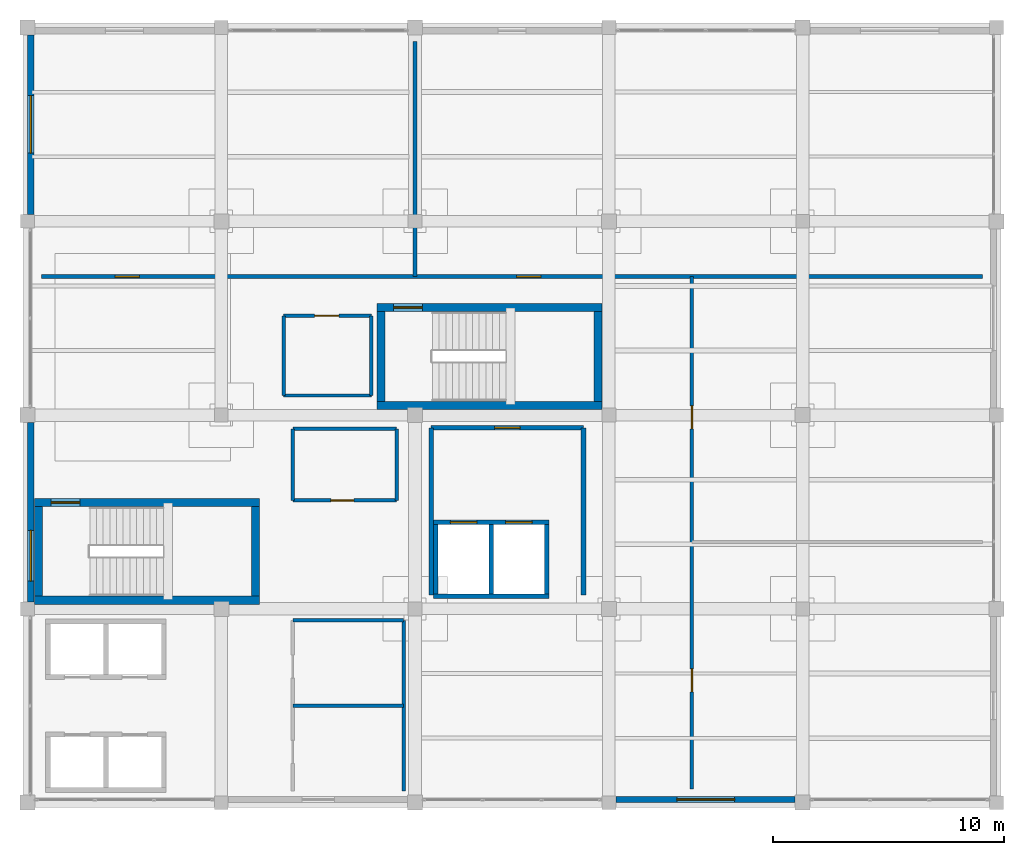
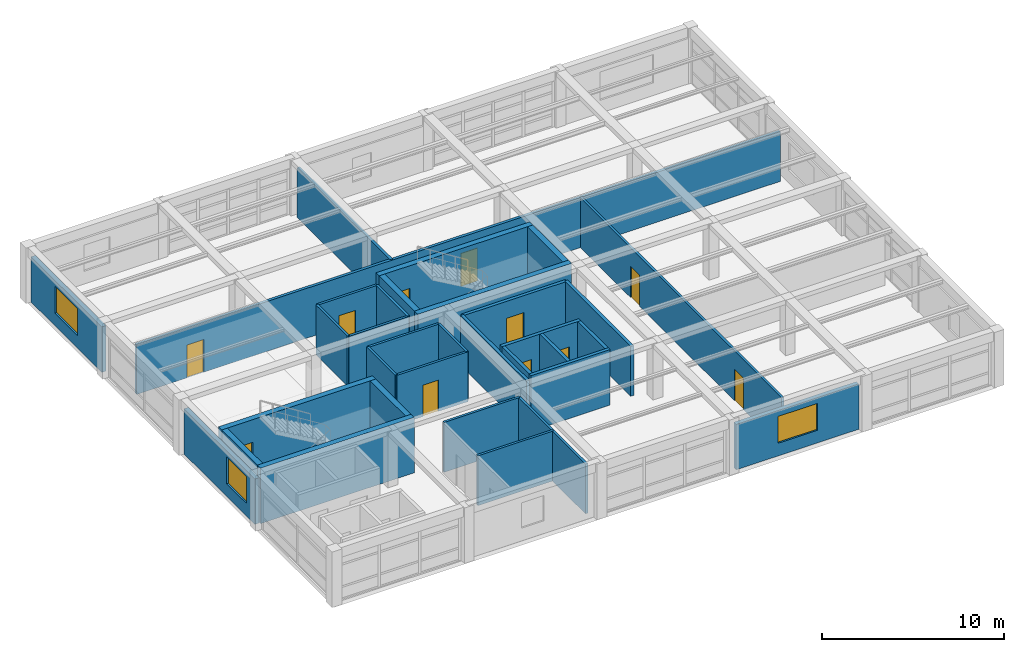
# One storey, part 23 of 25: 33 walls, 11 doors, 3 windows, 14 openings.
"""IFC4 building model written with IfcOpenShell, lengths in metres."""

from ifc_helpers import new_model, si_unit, direction, frame, frame_2d, origin, place, context, subcontext, project, spatial, rectangle, extrude, material, layer, layer_set, type_object, element, fill, save


model = new_model("IFC4")

# Units and contexts
model_context = context("Model", 3, precision=1e-05, world=origin(), true_north=direction((0.0, 1.0)))
body_context = subcontext(model_context, "Body", "Model", "MODEL_VIEW")
ifc_project = project(units=[si_unit("LENGTHUNIT", "METRE"), si_unit("AREAUNIT", "SQUARE_METRE"), si_unit("VOLUMEUNIT", "CUBIC_METRE"), si_unit("PLANEANGLEUNIT", "RADIAN"), si_unit("MASSUNIT", "GRAM", prefix="KILO")], contexts=[model_context])

# Site, building, storey
site_placement = place(None, origin())
site = spatial("IfcSite", under=ifc_project, at=site_placement, CompositionType="ELEMENT")
building_placement = place(site_placement, origin())
building = spatial("IfcBuilding", under=site, at=building_placement, Name="Almacenes y Pasaje Nevantli", CompositionType="ELEMENT")
storey_placement = place(building_placement, frame((0.0, 0.0, 50.699951171875)))
storey = spatial("IfcBuildingStorey", under=building, at=storey_placement, Name="L12", CompositionType="ELEMENT", Elevation=50.699951171875)

# Wall, openings, doors
ifc_material_1 = material(Name="Insulated Double-Gypsum Fire Partition", Category="gypsum")
ifc_layer_1 = layer(ifc_material_1, 0.179931640625)
ifc_layer_set_1 = layer_set([ifc_layer_1], Name="Insulated Double-Gypsum Fire Partition")
wall_type_1 = type_object("IfcWallType", Name="WL-COMP-180", PredefinedType="PARTITIONING", material=ifc_layer_set_1)
wall_1_placement = place(storey_placement, frame((118.199951171875, 90.0, 0.0), z_axis=(0.0, 0.0, 1.0), x_axis=(1.0, 0.0, 0.0)))
wall_1 = element("IfcWall", 1, at=wall_1_placement, inside=storey, type_object=wall_type_1, Name="L12 Interior Partition Wall IW-180 #217", PredefinedType="PARTITIONING", context=body_context, shape_type="SweptSolid", body=[
    extrude(rectangle(XDim=40.800048828125, YDim=0.179931640625, at=frame_2d((20.39990234375, 0.0))), origin(), (0.0, 0.0, 1.0), 3.340087890625),
])
opening_1_placement = place(wall_1_placement, frame((3.199951171875, 0.0, 0.0)))
opening_1 = element("IfcOpeningElement", 2, at=opening_1_placement, cuts=wall_1, Name="Opening ID-L12-116", PredefinedType="OPENING", context=body_context, shape_type="SweptSolid", body=[
    extrude(rectangle(XDim=1.050048828125, YDim=2.199951171875, at=frame_2d((0.52490234375, 1.10009765625))), frame((0.0, 0.099853515625, 0.0), z_axis=(0.0, -1.0, 0.0), x_axis=(1.0, 0.0, 0.0)), (0.0, 0.0, 1.0), 0.199951171875),
])
opening_2_placement = place(wall_1_placement, frame((20.60009765625, 0.0, 0.0)))
opening_2 = element("IfcOpeningElement", 3, at=opening_2_placement, cuts=wall_1, Name="Opening ID-L12-117", PredefinedType="OPENING", context=body_context, shape_type="SweptSolid", body=[
    extrude(rectangle(XDim=1.050048828125, YDim=2.199951171875, at=frame_2d((0.52490234375, 1.10009765625))), frame((0.0, 0.099853515625, 0.0), z_axis=(0.0, -1.0, 0.0), x_axis=(1.0, 0.0, 0.0)), (0.0, 0.0, 1.0), 0.199951171875),
])
ifc_material_2 = material(Name="Fire-Rated Mineral-Core Steel", Category="steel")
door_type_1 = type_object("IfcDoorType", Name="DR-FD60-1050", OperationType="SINGLE_SWING_LEFT", PredefinedType="DOOR", material=ifc_material_2)
door_1_placement = place(opening_1_placement, origin())
door_1 = element("IfcDoor", 4, at=door_1_placement, inside=storey, type_object=door_type_1, Name="L12 L12 Legal Chambers Door", OperationType="SINGLE_SWING_LEFT", OverallHeight=2.199951171875, OverallWidth=1.050048828125, PredefinedType="DOOR", context=body_context, shape_type="SweptSolid", body=[
    extrude(rectangle(XDim=1.050048828125, YDim=2.199951171875, at=frame_2d((0.52490234375, 1.10009765625))), frame((0.0, 0.02490234375, 0.0), z_axis=(0.0, -1.0, 0.0), x_axis=(1.0, 0.0, 0.0)), (0.0, 0.0, 1.0), 0.050048828125),
])
fill(opening_1, door_1)
ifc_material_3 = material(Name="Fire-Rated Mineral-Core Steel", Category="steel")
door_type_2 = type_object("IfcDoorType", Name="DR-FD60-1050R", OperationType="SINGLE_SWING_RIGHT", PredefinedType="DOOR", material=ifc_material_3)
door_2_placement = place(opening_2_placement, origin())
door_2 = element("IfcDoor", 5, at=door_2_placement, inside=storey, type_object=door_type_2, Name="L12 L12 Finance Suite Door", OperationType="SINGLE_SWING_RIGHT", OverallHeight=2.199951171875, OverallWidth=1.050048828125, PredefinedType="DOOR", context=body_context, shape_type="SweptSolid", body=[
    extrude(rectangle(XDim=1.050048828125, YDim=2.199951171875, at=frame_2d((0.52490234375, 1.10009765625))), frame((0.0, 0.02490234375, 0.0), z_axis=(0.0, -1.0, 0.0), x_axis=(1.0, 0.0, 0.0)), (0.0, 0.0, 1.0), 0.050048828125),
])
fill(opening_2, door_2)

# Wall
wall_2_placement = place(storey_placement, frame((134.39990234375, 90.0, 0.0), z_axis=(0.0, 0.0, 1.0), x_axis=(0.0, 1.0, 0.0)))
element("IfcWall", 6, at=wall_2_placement, inside=storey, type_object=wall_type_1, Name="L12 Interior Partition Wall IW-180 #218", PredefinedType="PARTITIONING", context=body_context, shape_type="SweptSolid", body=[
    extrude(rectangle(XDim=10.199951171875, YDim=0.179931640625, at=frame_2d((5.10009765625, 0.0))), origin(), (0.0, 0.0, 1.0), 3.340087890625),
])

# Wall, opening, door
ifc_material_4 = material(Name="Fire-Rated Concrete Blockwork", Category="masonry")
ifc_layer_2 = layer(ifc_material_4, 0.199951171875)
ifc_layer_set_2 = layer_set([ifc_layer_2], Name="Fire-Rated Concrete Blockwork")
wall_type_2 = type_object("IfcWallType", Name="WL-COMP-200", PredefinedType="PARTITIONING", material=ifc_layer_set_2)
wall_3_placement = place(storey_placement, frame((135.10009765625, 83.449951171875, 0.0), z_axis=(0.0, 0.0, 1.0), x_axis=(1.0, 0.0, 0.0)))
wall_3 = element("IfcWall", 7, at=wall_3_placement, inside=storey, type_object=wall_type_2, Name="L12 Interior Partition Wall IW-200 #202", PredefinedType="PARTITIONING", context=body_context, shape_type="SweptSolid", body=[
    extrude(rectangle(XDim=6.599853515625, YDim=0.199951171875, at=frame_2d((3.2998046875, 0.0))), origin(), (0.0, 0.0, 1.0), 3.340087890625),
])
opening_3_placement = place(wall_3_placement, frame((2.75, 0.0, 0.0)))
opening_3 = element("IfcOpeningElement", 8, at=opening_3_placement, cuts=wall_3, Name="Opening ID-L12-111", PredefinedType="OPENING", context=body_context, shape_type="SweptSolid", body=[
    extrude(rectangle(XDim=1.10009765625, YDim=2.199951171875, at=frame_2d((0.550048828125, 1.10009765625))), frame((0.0, 0.10986328125, 0.0), z_axis=(0.0, -1.0, 0.0), x_axis=(1.0, 0.0, 0.0)), (0.0, 0.0, 1.0), 0.219970703125),
])
ifc_material_5 = material(Name="Galvanized Fire-Rated Steel", Category="steel")
door_type_3 = type_object("IfcDoorType", Name="DR-FD90-1100R", OperationType="SINGLE_SWING_RIGHT", PredefinedType="DOOR", material=ifc_material_5)
door_3_placement = place(opening_3_placement, origin())
door_3 = element("IfcDoor", 9, at=door_3_placement, inside=storey, type_object=door_type_3, Name="L12 Firefighting Lobby Door", OperationType="SINGLE_SWING_RIGHT", OverallHeight=2.199951171875, OverallWidth=1.10009765625, PredefinedType="DOOR", context=body_context, shape_type="SweptSolid", body=[
    extrude(rectangle(XDim=1.10009765625, YDim=2.199951171875, at=frame_2d((0.550048828125, 1.10009765625))), frame((0.0, 0.02490234375, 0.0), z_axis=(0.0, -1.0, 0.0), x_axis=(1.0, 0.0, 0.0)), (0.0, 0.0, 1.0), 0.050048828125),
])
fill(opening_3, door_3)

# Walls
for number, where, z_axis, x_axis, name in (
    (10, (135.10009765625, 76.199951171875, 0.0), (0.0, 0.0, 1.0), (0.0, 1.0, 0.0), "L12 Interior Partition Wall IW-200 #203"),
    (11, (141.699951171875, 76.199951171875, 0.0), (0.0, 0.0, 1.0), (0.0, 1.0, 0.0), "L12 Interior Partition Wall IW-200 #204"),
):
    element("IfcWall", number, at=place(storey_placement, frame(where, z_axis=z_axis, x_axis=x_axis)), inside=storey, type_object=wall_type_2, Name=name, PredefinedType="PARTITIONING", context=body_context, shape_type="SweptSolid", body=[
        extrude(rectangle(XDim=7.25, YDim=0.199951171875, at=frame_2d((3.625, 0.0))), origin(), (0.0, 0.0, 1.0), 3.340087890625),
    ])
ifc_material_6 = material(Name="Concrete C45/55", Category="concrete")
ifc_layer_3 = layer(ifc_material_6, 0.35009765625)
ifc_layer_set_3 = layer_set([ifc_layer_3], Name="Concrete C45/55")
wall_type_3 = type_object("IfcWallType", Name="WL-CORE-350", PredefinedType="SHEAR", material=ifc_layer_set_3)
wall_4_placement = place(storey_placement, frame((117.89990234375, 75.97509765625, 0.0), z_axis=(0.0, 0.0, 1.0), x_axis=(1.0, 0.0, 0.0)))
element("IfcWall", 12, at=wall_4_placement, inside=storey, type_object=wall_type_3, Name="L12 Exit Stair ST-01 South Core Shear Wall", PredefinedType="SHEAR", context=body_context, shape_type="SweptSolid", body=[
    extrude(rectangle(XDim=9.75, YDim=0.35009765625, at=frame_2d((4.875, 0.0))), origin(), (0.0, 0.0, 1.0), 3.719970703125),
])

# Wall, opening, door
wall_5_placement = place(storey_placement, frame((117.89990234375, 80.215087890625, 0.0), z_axis=(0.0, 0.0, 1.0), x_axis=(1.0, 0.0, 0.0)))
wall_5 = element("IfcWall", 13, at=wall_5_placement, inside=storey, type_object=wall_type_3, Name="L12 Exit Stair ST-01 North Core Shear Wall", PredefinedType="SHEAR", context=body_context, shape_type="SweptSolid", body=[
    extrude(rectangle(XDim=9.75, YDim=0.35009765625, at=frame_2d((4.875, 0.0))), origin(), (0.0, 0.0, 1.0), 3.719970703125),
])
opening_4_placement = place(wall_5_placement, frame((0.719970703125, 0.0, 0.0)))
opening_4 = element("IfcOpeningElement", 14, at=opening_4_placement, cuts=wall_5, Name="Opening SD-01-L12", PredefinedType="OPENING", context=body_context, shape_type="SweptSolid", body=[
    extrude(rectangle(XDim=1.25, YDim=2.199951171875, at=frame_2d((0.625, 1.10009765625))), frame((0.0, 0.18505859375, 0.0), z_axis=(0.0, -1.0, 0.0), x_axis=(1.0, 0.0, 0.0)), (0.0, 0.0, 1.0), 0.3701171875),
])
ifc_material_7 = material(Name="Galvanized Fire-Rated Steel", Category="steel")
door_type_4 = type_object("IfcDoorType", Name="DR-STAIR-1250", OperationType="SINGLE_SWING_LEFT", PredefinedType="DOOR", material=ifc_material_7)
door_4_placement = place(opening_4_placement, origin())
door_4 = element("IfcDoor", 15, at=door_4_placement, inside=storey, type_object=door_type_4, Name="L12 Smokeproof Exit Stair ST-01 Fire Door", OperationType="SINGLE_SWING_LEFT", OverallHeight=2.199951171875, OverallWidth=1.25, PredefinedType="DOOR", context=body_context, shape_type="SweptSolid", body=[
    extrude(rectangle(XDim=1.25, YDim=2.199951171875, at=frame_2d((0.625, 1.10009765625))), frame((0.0, 0.02490234375, 0.0), z_axis=(0.0, -1.0, 0.0), x_axis=(1.0, 0.0, 0.0)), (0.0, 0.0, 1.0), 0.050048828125),
])
fill(opening_4, door_4)

# Walls
for number, where, z_axis, x_axis, name in (
    (16, (118.074951171875, 76.14990234375, 0.0), (0.0, 0.0, 1.0), (0.0, 1.0, 0.0), "L12 Exit Stair ST-01 West Core Shear Wall"),
    (17, (127.47509765625, 76.14990234375, 0.0), (0.0, 0.0, 1.0), (0.0, 1.0, 0.0), "L12 Exit Stair ST-01 East Core Shear Wall"),
):
    element("IfcWall", number, at=place(storey_placement, frame(where, z_axis=z_axis, x_axis=x_axis)), inside=storey, type_object=wall_type_3, Name=name, PredefinedType="SHEAR", context=body_context, shape_type="SweptSolid", body=[
        extrude(rectangle(XDim=3.89013671875, YDim=0.35009765625, at=frame_2d((1.945068359375, 0.0))), origin(), (0.0, 0.0, 1.0), 3.719970703125),
    ])
wall_6_placement = place(storey_placement, frame((132.75, 84.425048828125, 0.0), z_axis=(0.0, 0.0, 1.0), x_axis=(1.0, 0.0, 0.0)))
element("IfcWall", 18, at=wall_6_placement, inside=storey, type_object=wall_type_3, Name="L12 Exit Stair ST-02 South Core Shear Wall", PredefinedType="SHEAR", context=body_context, shape_type="SweptSolid", body=[
    extrude(rectangle(XDim=9.75, YDim=0.35009765625, at=frame_2d((4.875, 0.0))), origin(), (0.0, 0.0, 1.0), 3.719970703125),
])

# Wall, opening, door
wall_7_placement = place(storey_placement, frame((132.75, 88.6650390625, 0.0), z_axis=(0.0, 0.0, 1.0), x_axis=(1.0, 0.0, 0.0)))
wall_7 = element("IfcWall", 19, at=wall_7_placement, inside=storey, type_object=wall_type_3, Name="L12 Exit Stair ST-02 North Core Shear Wall", PredefinedType="SHEAR", context=body_context, shape_type="SweptSolid", body=[
    extrude(rectangle(XDim=9.75, YDim=0.35009765625, at=frame_2d((4.875, 0.0))), origin(), (0.0, 0.0, 1.0), 3.719970703125),
])
opening_5_placement = place(wall_7_placement, frame((0.719970703125, 0.0, 0.0)))
opening_5 = element("IfcOpeningElement", 20, at=opening_5_placement, cuts=wall_7, Name="Opening SD-02-L12", PredefinedType="OPENING", context=body_context, shape_type="SweptSolid", body=[
    extrude(rectangle(XDim=1.25, YDim=2.199951171875, at=frame_2d((0.625, 1.10009765625))), frame((0.0, 0.18505859375, 0.0), z_axis=(0.0, -1.0, 0.0), x_axis=(1.0, 0.0, 0.0)), (0.0, 0.0, 1.0), 0.3701171875),
])
ifc_material_8 = material(Name="Galvanized Fire-Rated Steel", Category="steel")
door_type_5 = type_object("IfcDoorType", Name="DR-STAIR-1250R", OperationType="SINGLE_SWING_RIGHT", PredefinedType="DOOR", material=ifc_material_8)
door_5_placement = place(opening_5_placement, origin())
door_5 = element("IfcDoor", 21, at=door_5_placement, inside=storey, type_object=door_type_5, Name="L12 Smokeproof Exit Stair ST-02 Fire Door", OperationType="SINGLE_SWING_RIGHT", OverallHeight=2.199951171875, OverallWidth=1.25, PredefinedType="DOOR", context=body_context, shape_type="SweptSolid", body=[
    extrude(rectangle(XDim=1.25, YDim=2.199951171875, at=frame_2d((0.625, 1.10009765625))), frame((0.0, 0.02490234375, 0.0), z_axis=(0.0, -1.0, 0.0), x_axis=(1.0, 0.0, 0.0)), (0.0, 0.0, 1.0), 0.050048828125),
])
fill(opening_5, door_5)

# Walls
for number, where, z_axis, x_axis, name in (
    (22, (132.925048828125, 84.60009765625, 0.0), (0.0, 0.0, 1.0), (0.0, 1.0, 0.0), "L12 Exit Stair ST-02 West Core Shear Wall"),
    (23, (142.324951171875, 84.60009765625, 0.0), (0.0, 0.0, 1.0), (0.0, 1.0, 0.0), "L12 Exit Stair ST-02 East Core Shear Wall"),
):
    element("IfcWall", number, at=place(storey_placement, frame(where, z_axis=z_axis, x_axis=x_axis)), inside=storey, type_object=wall_type_3, Name=name, PredefinedType="SHEAR", context=body_context, shape_type="SweptSolid", body=[
        extrude(rectangle(XDim=3.889892578125, YDim=0.35009765625, at=frame_2d((1.94482421875, 0.0))), origin(), (0.0, 0.0, 1.0), 3.719970703125),
    ])

# Wall, opening, window
ifc_material_9 = material(Name="Architectural Precast Concrete C35/45 Spandrel Wall", Category="concrete")
ifc_layer_4 = layer(ifc_material_9, 0.280029296875)
ifc_layer_set_4 = layer_set([ifc_layer_4], Name="Architectural Precast Concrete C35/45 Spandrel Wall")
wall_type_4 = type_object("IfcWallType", Name="WL-EXT-CANTERA-280", PredefinedType="SOLIDWALL", material=ifc_layer_set_4)
wall_8_placement = place(storey_placement, frame((117.739990234375, 75.902099609375, 0.0), z_axis=(0.0, 0.0, 1.0), x_axis=(0.0, 1.0, 0.0)))
wall_8 = element("IfcWall", 24, at=wall_8_placement, inside=storey, type_object=wall_type_4, Name="L12 Tower West Cantera Wall Bay 10", PredefinedType="SOLIDWALL", context=body_context, shape_type="SweptSolid", body=[
    extrude(rectangle(XDim=7.77001953125, YDim=0.280029296875, at=frame_2d((3.885009765625, 0.0))), origin(), (0.0, 0.0, 1.0), 3.0400390625),
])
opening_6_placement = place(wall_8_placement, frame((0.89794921875, 0.0, 0.85009765625)))
opening_6 = element("IfcOpeningElement", 25, at=opening_6_placement, cuts=wall_8, Name="Opening WT-31-256", PredefinedType="OPENING", context=body_context, shape_type="SweptSolid", body=[
    extrude(rectangle(XDim=2.199951171875, YDim=1.800048828125, at=frame_2d((1.10009765625, 0.89990234375))), frame((0.0, 0.14990234375, 0.0), z_axis=(0.0, -1.0, 0.0), x_axis=(1.0, 0.0, 0.0)), (0.0, 0.0, 1.0), 0.300048828125),
])
ifc_material_10 = material(Name="Thermally Broken Aluminium and Low-E Double Glazing", Category="aluminium")
window_type_1 = type_object("IfcWindowType", Name="WN-TWR-2200x1800", PartitioningType="SINGLE_PANEL", PredefinedType="WINDOW", material=ifc_material_10)
window_1_placement = place(opening_6_placement, origin())
window_1 = element("IfcWindow", 26, at=window_1_placement, inside=storey, type_object=window_type_1, Name="L12 Exterior Window WT-31 #256", OverallHeight=1.800048828125, OverallWidth=2.199951171875, PartitioningType="SINGLE_PANEL", PredefinedType="WINDOW", context=body_context, shape_type="SweptSolid", body=[
    extrude(rectangle(XDim=2.199951171875, YDim=1.800048828125, at=frame_2d((1.10009765625, 0.89990234375))), frame((0.0, 0.030029296875, 0.0), z_axis=(0.0, -1.0, 0.0), x_axis=(1.0, 0.0, 0.0)), (0.0, 0.0, 1.0), 0.06005859375),
])
fill(opening_6, window_1)

wall_9_placement = place(storey_placement, frame((117.739990234375, 92.7041015625, 0.0), z_axis=(0.0, 0.0, 1.0), x_axis=(0.0, 1.0, 0.0)))
wall_9 = element("IfcWall", 27, at=wall_9_placement, inside=storey, type_object=wall_type_4, Name="L12 Tower West Cantera Wall Bay 12", PredefinedType="SOLIDWALL", context=body_context, shape_type="SweptSolid", body=[
    extrude(rectangle(XDim=7.767822265625, YDim=0.280029296875, at=frame_2d((3.8837890625, 0.0))), origin(), (0.0, 0.0, 1.0), 3.0400390625),
])
opening_7_placement = place(wall_9_placement, frame((2.64599609375, 0.0, 0.85009765625)))
opening_7 = element("IfcOpeningElement", 28, at=opening_7_placement, cuts=wall_9, Name="Opening WT-30-258", PredefinedType="OPENING", context=body_context, shape_type="SweptSolid", body=[
    extrude(rectangle(XDim=2.5, YDim=1.800048828125, at=frame_2d((1.25, 0.89990234375))), frame((0.0, 0.14990234375, 0.0), z_axis=(0.0, -1.0, 0.0), x_axis=(1.0, 0.0, 0.0)), (0.0, 0.0, 1.0), 0.300048828125),
])
ifc_material_11 = material(Name="Thermally Broken Aluminium and Low-E Double Glazing", Category="aluminium")
window_type_2 = type_object("IfcWindowType", Name="WN-TWR-2500x1800", PartitioningType="SINGLE_PANEL", PredefinedType="WINDOW", material=ifc_material_11)
window_2_placement = place(opening_7_placement, origin())
window_2 = element("IfcWindow", 29, at=window_2_placement, inside=storey, type_object=window_type_2, Name="L12 Exterior Window WT-30 #258", OverallHeight=1.800048828125, OverallWidth=2.5, PartitioningType="SINGLE_PANEL", PredefinedType="WINDOW", context=body_context, shape_type="SweptSolid", body=[
    extrude(rectangle(XDim=2.5, YDim=1.800048828125, at=frame_2d((1.25, 0.89990234375))), frame((0.0, 0.030029296875, 0.0), z_axis=(0.0, -1.0, 0.0), x_axis=(1.0, 0.0, 0.0)), (0.0, 0.0, 1.0), 0.06005859375),
])
fill(opening_7, window_2)

ifc_material_12 = material(Name="Cream Architectural Precast Concrete C35/45 Wall", Category="concrete")
ifc_layer_5 = layer(ifc_material_12, 0.260009765625)
ifc_layer_set_5 = layer_set([ifc_layer_5], Name="Cream Architectural Precast Concrete C35/45 Wall")
wall_type_5 = type_object("IfcWallType", Name="WL-EXT-PRECAST-260", PredefinedType="SOLIDWALL", material=ifc_layer_set_5)
wall_10_placement = place(storey_placement, frame((143.10400390625, 67.340087890625, 0.0), z_axis=(0.0, 0.0, 1.0), x_axis=(1.0, 0.0, 0.0)))
wall_10 = element("IfcWall", 30, at=wall_10_placement, inside=storey, type_object=wall_type_5, Name="L12 Tower South Precast Spandrel Wall Bay 18", PredefinedType="SOLIDWALL", context=body_context, shape_type="SweptSolid", body=[
    extrude(rectangle(XDim=7.76806640625, YDim=0.260009765625, at=frame_2d((3.884033203125, 0.0))), origin(), (0.0, 0.0, 1.0), 3.0400390625),
])
opening_8_placement = place(wall_10_placement, frame((2.64599609375, 0.0, 0.85009765625)))
opening_8 = element("IfcOpeningElement", 31, at=opening_8_placement, cuts=wall_10, Name="Opening WT-30-253", PredefinedType="OPENING", context=body_context, shape_type="SweptSolid", body=[
    extrude(rectangle(XDim=2.5, YDim=1.800048828125, at=frame_2d((1.25, 0.89990234375))), frame((0.0, 0.139892578125, 0.0), z_axis=(0.0, -1.0, 0.0), x_axis=(1.0, 0.0, 0.0)), (0.0, 0.0, 1.0), 0.280029296875),
])
window_3_placement = place(opening_8_placement, origin())
window_3 = element("IfcWindow", 32, at=window_3_placement, inside=storey, type_object=window_type_2, Name="L12 Exterior Window WT-30 #253", OverallHeight=1.800048828125, OverallWidth=2.5, PartitioningType="SINGLE_PANEL", PredefinedType="WINDOW", context=body_context, shape_type="SweptSolid", body=[
    extrude(rectangle(XDim=2.5, YDim=1.800048828125, at=frame_2d((1.25, 0.89990234375))), frame((0.0, 0.030029296875, 0.0), z_axis=(0.0, -1.0, 0.0), x_axis=(1.0, 0.0, 0.0)), (0.0, 0.0, 1.0), 0.06005859375),
])
fill(opening_8, window_3)

# Wall, opening, door
ifc_material_13 = material(Name="Acoustic Steel-Stud Gypsum Partition", Category="steel")
ifc_layer_6 = layer(ifc_material_13, 0.14990234375)
ifc_layer_set_6 = layer_set([ifc_layer_6], Name="Acoustic Steel-Stud Gypsum Partition")
wall_type_6 = type_object("IfcWallType", Name="WL-PART-150", PredefinedType="PARTITIONING", material=ifc_layer_set_6)
wall_11_placement = place(storey_placement, frame((129.10009765625, 80.300048828125, 0.0), z_axis=(0.0, 0.0, 1.0), x_axis=(1.0, 0.0, 0.0)))
wall_11 = element("IfcWall", 33, at=wall_11_placement, inside=storey, type_object=wall_type_6, Name="L12 Interior Partition Wall IW-150 #205", PredefinedType="PARTITIONING", context=body_context, shape_type="SweptSolid", body=[
    extrude(rectangle(XDim=4.5, YDim=0.14990234375, at=frame_2d((2.25, 0.0))), origin(), (0.0, 0.0, 1.0), 3.340087890625),
])
opening_9_placement = place(wall_11_placement, frame((1.64990234375, 0.0, 0.0)))
opening_9 = element("IfcOpeningElement", 34, at=opening_9_placement, cuts=wall_11, Name="Opening ID-L12-112", PredefinedType="OPENING", context=body_context, shape_type="SweptSolid", body=[
    extrude(rectangle(XDim=1.0, YDim=2.10009765625, at=frame_2d((0.5, 1.050048828125))), frame((0.0, 0.0849609375, 0.0), z_axis=(0.0, -1.0, 0.0), x_axis=(1.0, 0.0, 0.0)), (0.0, 0.0, 1.0), 0.169921875),
])
ifc_material_14 = material(Name="Powder-Coated Hollow Metal", Category="steel")
door_type_6 = type_object("IfcDoorType", Name="DR-INT-1000", OperationType="SINGLE_SWING_LEFT", PredefinedType="DOOR", material=ifc_material_14)
door_6_placement = place(opening_9_placement, origin())
door_6 = element("IfcDoor", 35, at=door_6_placement, inside=storey, type_object=door_type_6, Name="L12 Staff and Public WC Door", OperationType="SINGLE_SWING_LEFT", OverallHeight=2.10009765625, OverallWidth=1.0, PredefinedType="DOOR", context=body_context, shape_type="SweptSolid", body=[
    extrude(rectangle(XDim=1.0, YDim=2.10009765625, at=frame_2d((0.5, 1.050048828125))), frame((0.0, 0.02490234375, 0.0), z_axis=(0.0, -1.0, 0.0), x_axis=(1.0, 0.0, 0.0)), (0.0, 0.0, 1.0), 0.050048828125),
])
fill(opening_9, door_6)

# Walls
wall_12_placement = place(storey_placement, frame((129.10009765625, 83.39990234375, 0.0), z_axis=(0.0, 0.0, 1.0), x_axis=(1.0, 0.0, 0.0)))
element("IfcWall", 36, at=wall_12_placement, inside=storey, type_object=wall_type_6, Name="L12 Interior Partition Wall IW-150 #206", PredefinedType="PARTITIONING", context=body_context, shape_type="SweptSolid", body=[
    extrude(rectangle(XDim=4.5, YDim=0.14990234375, at=frame_2d((2.25, 0.0))), origin(), (0.0, 0.0, 1.0), 3.340087890625),
])
for number, where, z_axis, x_axis, name in (
    (37, (129.10009765625, 80.300048828125, 0.0), (0.0, 0.0, 1.0), (0.0, 1.0, 0.0), "L12 Interior Partition Wall IW-150 #207"),
    (38, (133.60009765625, 80.300048828125, 0.0), (0.0, 0.0, 1.0), (0.0, 1.0, 0.0), "L12 Interior Partition Wall IW-150 #208"),
):
    element("IfcWall", number, at=place(storey_placement, frame(where, z_axis=z_axis, x_axis=x_axis)), inside=storey, type_object=wall_type_6, Name=name, PredefinedType="PARTITIONING", context=body_context, shape_type="SweptSolid", body=[
        extrude(rectangle(XDim=3.099853515625, YDim=0.14990234375, at=frame_2d((1.5498046875, 0.0))), origin(), (0.0, 0.0, 1.0), 3.340087890625),
    ])

# Wall, opening, door
wall_13_placement = place(storey_placement, frame((128.699951171875, 88.300048828125, 0.0), z_axis=(0.0, 0.0, 1.0), x_axis=(1.0, 0.0, 0.0)))
wall_13 = element("IfcWall", 39, at=wall_13_placement, inside=storey, type_object=wall_type_6, Name="L12 Interior Partition Wall IW-150 #209", PredefinedType="PARTITIONING", context=body_context, shape_type="SweptSolid", body=[
    extrude(rectangle(XDim=3.800048828125, YDim=0.14990234375, at=frame_2d((1.89990234375, 0.0))), origin(), (0.0, 0.0, 1.0), 3.340087890625),
])
opening_10_placement = place(wall_13_placement, frame((1.35009765625, 0.0, 0.0)))
opening_10 = element("IfcOpeningElement", 40, at=opening_10_placement, cuts=wall_13, Name="Opening ID-L12-113", PredefinedType="OPENING", context=body_context, shape_type="SweptSolid", body=[
    extrude(rectangle(XDim=1.050048828125, YDim=2.14990234375, at=frame_2d((0.52490234375, 1.074951171875))), frame((0.0, 0.0849609375, 0.0), z_axis=(0.0, -1.0, 0.0), x_axis=(1.0, 0.0, 0.0)), (0.0, 0.0, 1.0), 0.169921875),
])
ifc_material_15 = material(Name="Powder-Coated Hollow Metal", Category="steel")
door_type_7 = type_object("IfcDoorType", Name="DR-ACC-1050", OperationType="SINGLE_SWING_RIGHT", PredefinedType="DOOR", material=ifc_material_15)
door_7_placement = place(opening_10_placement, origin())
door_7 = element("IfcDoor", 41, at=door_7_placement, inside=storey, type_object=door_type_7, Name="L12 Accessible WC Door", OperationType="SINGLE_SWING_RIGHT", OverallHeight=2.14990234375, OverallWidth=1.050048828125, PredefinedType="DOOR", context=body_context, shape_type="SweptSolid", body=[
    extrude(rectangle(XDim=1.050048828125, YDim=2.14990234375, at=frame_2d((0.52490234375, 1.074951171875))), frame((0.0, 0.02490234375, 0.0), z_axis=(0.0, -1.0, 0.0), x_axis=(1.0, 0.0, 0.0)), (0.0, 0.0, 1.0), 0.050048828125),
])
fill(opening_10, door_7)

# Walls
wall_14_placement = place(storey_placement, frame((128.699951171875, 84.85009765625, 0.0), z_axis=(0.0, 0.0, 1.0), x_axis=(1.0, 0.0, 0.0)))
element("IfcWall", 42, at=wall_14_placement, inside=storey, type_object=wall_type_6, Name="L12 Interior Partition Wall IW-150 #210", PredefinedType="PARTITIONING", context=body_context, shape_type="SweptSolid", body=[
    extrude(rectangle(XDim=3.800048828125, YDim=0.14990234375, at=frame_2d((1.89990234375, 0.0))), origin(), (0.0, 0.0, 1.0), 3.340087890625),
])
for number, where, z_axis, x_axis, name in (
    (43, (128.699951171875, 84.85009765625, 0.0), (0.0, 0.0, 1.0), (0.0, 1.0, 0.0), "L12 Interior Partition Wall IW-150 #211"),
    (44, (132.5, 84.85009765625, 0.0), (0.0, 0.0, 1.0), (0.0, 1.0, 0.0), "L12 Interior Partition Wall IW-150 #212"),
):
    element("IfcWall", number, at=place(storey_placement, frame(where, z_axis=z_axis, x_axis=x_axis)), inside=storey, type_object=wall_type_6, Name=name, PredefinedType="PARTITIONING", context=body_context, shape_type="SweptSolid", body=[
        extrude(rectangle(XDim=3.449951171875, YDim=0.14990234375, at=frame_2d((1.72509765625, 0.0))), origin(), (0.0, 0.0, 1.0), 3.340087890625),
    ])
wall_15_placement = place(storey_placement, frame((129.10009765625, 71.39990234375, 0.0), z_axis=(0.0, 0.0, 1.0), x_axis=(1.0, 0.0, 0.0)))
element("IfcWall", 45, at=wall_15_placement, inside=storey, type_object=wall_type_6, Name="L12 Interior Partition Wall IW-150 #214", PredefinedType="PARTITIONING", context=body_context, shape_type="SweptSolid", body=[
    extrude(rectangle(XDim=4.7998046875, YDim=0.14990234375, at=frame_2d((2.39990234375, 0.0))), origin(), (0.0, 0.0, 1.0), 3.340087890625),
])
wall_16_placement = place(storey_placement, frame((133.89990234375, 67.699951171875, 0.0), z_axis=(0.0, 0.0, 1.0), x_axis=(0.0, 1.0, 0.0)))
element("IfcWall", 46, at=wall_16_placement, inside=storey, type_object=wall_type_6, Name="L12 Interior Partition Wall IW-150 #215", PredefinedType="PARTITIONING", context=body_context, shape_type="SweptSolid", body=[
    extrude(rectangle(XDim=7.400146484375, YDim=0.14990234375, at=frame_2d((3.7001953125, 0.0))), origin(), (0.0, 0.0, 1.0), 3.340087890625),
])
wall_17_placement = place(storey_placement, frame((129.10009765625, 75.10009765625, 0.0), z_axis=(0.0, 0.0, 1.0), x_axis=(1.0, 0.0, 0.0)))
element("IfcWall", 47, at=wall_17_placement, inside=storey, type_object=wall_type_6, Name="L12 Interior Partition Wall IW-150 #216", PredefinedType="PARTITIONING", context=body_context, shape_type="SweptSolid", body=[
    extrude(rectangle(XDim=4.7998046875, YDim=0.14990234375, at=frame_2d((2.39990234375, 0.0))), origin(), (0.0, 0.0, 1.0), 3.340087890625),
])

# Wall, openings, doors
wall_18_placement = place(storey_placement, frame((146.39990234375, 67.800048828125, 0.0), z_axis=(0.0, 0.0, 1.0), x_axis=(0.0, 1.0, 0.0)))
wall_18 = element("IfcWall", 48, at=wall_18_placement, inside=storey, type_object=wall_type_6, Name="L12 Interior Partition Wall IW-150 #219", PredefinedType="PARTITIONING", context=body_context, shape_type="SweptSolid", body=[
    extrude(rectangle(XDim=22.199951171875, YDim=0.14990234375, at=frame_2d((11.10009765625, 0.0))), origin(), (0.0, 0.0, 1.0), 3.340087890625),
])
opening_11_placement = place(wall_18_placement, frame((4.199951171875, 0.0, 0.0)))
opening_11 = element("IfcOpeningElement", 49, at=opening_11_placement, cuts=wall_18, Name="Opening ID-L12-118", PredefinedType="OPENING", context=body_context, shape_type="SweptSolid", body=[
    extrude(rectangle(XDim=1.0, YDim=2.10009765625, at=frame_2d((0.5, 1.050048828125))), frame((0.0, 0.0849609375, 0.0), z_axis=(0.0, -1.0, 0.0), x_axis=(1.0, 0.0, 0.0)), (0.0, 0.0, 1.0), 0.169921875),
])
opening_12_placement = place(wall_18_placement, frame((15.60009765625, 0.0, 0.0)))
opening_12 = element("IfcOpeningElement", 50, at=opening_12_placement, cuts=wall_18, Name="Opening ID-L12-119", PredefinedType="OPENING", context=body_context, shape_type="SweptSolid", body=[
    extrude(rectangle(XDim=1.0, YDim=2.10009765625, at=frame_2d((0.5, 1.050048828125))), frame((0.0, 0.0849609375, 0.0), z_axis=(0.0, -1.0, 0.0), x_axis=(1.0, 0.0, 0.0)), (0.0, 0.0, 1.0), 0.169921875),
])
door_8_placement = place(opening_11_placement, origin())
door_8 = element("IfcDoor", 51, at=door_8_placement, inside=storey, type_object=door_type_6, Name="L12 L12 Audit Suite Door", OperationType="SINGLE_SWING_LEFT", OverallHeight=2.10009765625, OverallWidth=1.0, PredefinedType="DOOR", context=body_context, shape_type="SweptSolid", body=[
    extrude(rectangle(XDim=1.0, YDim=2.10009765625, at=frame_2d((0.5, 1.050048828125))), frame((0.0, 0.02490234375, 0.0), z_axis=(0.0, -1.0, 0.0), x_axis=(1.0, 0.0, 0.0)), (0.0, 0.0, 1.0), 0.050048828125),
])
fill(opening_11, door_8)
ifc_material_16 = material(Name="Powder-Coated Hollow Metal", Category="steel")
door_type_8 = type_object("IfcDoorType", Name="DR-INT-1000R", OperationType="SINGLE_SWING_RIGHT", PredefinedType="DOOR", material=ifc_material_16)
door_9_placement = place(opening_12_placement, origin())
door_9 = element("IfcDoor", 52, at=door_9_placement, inside=storey, type_object=door_type_8, Name="L12 L12 Advisory Partners Door", OperationType="SINGLE_SWING_RIGHT", OverallHeight=2.10009765625, OverallWidth=1.0, PredefinedType="DOOR", context=body_context, shape_type="SweptSolid", body=[
    extrude(rectangle(XDim=1.0, YDim=2.10009765625, at=frame_2d((0.5, 1.050048828125))), frame((0.0, 0.02490234375, 0.0), z_axis=(0.0, -1.0, 0.0), x_axis=(1.0, 0.0, 0.0)), (0.0, 0.0, 1.0), 0.050048828125),
])
fill(opening_12, door_9)

# Wall
ifc_material_17 = material(Name="Concrete C45/55", Category="concrete")
ifc_layer_7 = layer(ifc_material_17, 0.2099609375)
ifc_layer_set_7 = layer_set([ifc_layer_7], Name="Concrete C45/55")
wall_type_7 = type_object("IfcWallType", Name="WL-SHAFT-210", PredefinedType="SHEAR", material=ifc_layer_set_7)
wall_19_placement = place(storey_placement, frame((135.18994140625, 76.14501953125, 0.0), z_axis=(0.0, 0.0, 1.0), x_axis=(1.0, 0.0, 0.0)))
element("IfcWall", 53, at=wall_19_placement, inside=storey, type_object=wall_type_7, Name="L12 Lift Hoistway ELV-FF1-ELV-FF2 South Wall", PredefinedType="SHEAR", context=body_context, shape_type="SweptSolid", body=[
    extrude(rectangle(XDim=5.02001953125, YDim=0.2099609375, at=frame_2d((2.510009765625, 0.0))), origin(), (0.0, 0.0, 1.0), 3.719970703125),
])

# Wall, openings, doors
wall_20_placement = place(storey_placement, frame((135.18994140625, 79.35498046875, 0.0), z_axis=(0.0, 0.0, 1.0), x_axis=(1.0, 0.0, 0.0)))
wall_20 = element("IfcWall", 54, at=wall_20_placement, inside=storey, type_object=wall_type_7, Name="L12 Lift Hoistway ELV-FF1-ELV-FF2 North Wall", PredefinedType="SHEAR", context=body_context, shape_type="SweptSolid", body=[
    extrude(rectangle(XDim=5.02001953125, YDim=0.2099609375, at=frame_2d((2.510009765625, 0.0))), origin(), (0.0, 0.0, 1.0), 3.719970703125),
])
opening_13_placement = place(wall_20_placement, frame((0.735107421875, 0.0, 0.0)))
opening_13 = element("IfcOpeningElement", 55, at=opening_13_placement, cuts=wall_20, Name="Opening LD-FF1-L12", PredefinedType="OPENING", context=body_context, shape_type="SweptSolid", body=[
    extrude(rectangle(XDim=1.14990234375, YDim=2.199951171875, at=frame_2d((0.574951171875, 1.10009765625))), frame((0.0, 0.114990234375, 0.0), z_axis=(0.0, -1.0, 0.0), x_axis=(1.0, 0.0, 0.0)), (0.0, 0.0, 1.0), 0.22998046875),
])
opening_14_placement = place(wall_20_placement, frame((3.135009765625, 0.0, 0.0)))
opening_14 = element("IfcOpeningElement", 56, at=opening_14_placement, cuts=wall_20, Name="Opening LD-FF2-L12", PredefinedType="OPENING", context=body_context, shape_type="SweptSolid", body=[
    extrude(rectangle(XDim=1.14990234375, YDim=2.199951171875, at=frame_2d((0.574951171875, 1.10009765625))), frame((0.0, 0.114990234375, 0.0), z_axis=(0.0, -1.0, 0.0), x_axis=(1.0, 0.0, 0.0)), (0.0, 0.0, 1.0), 0.22998046875),
])
ifc_material_18 = material(Name="Fire-Rated Stainless Steel", Category="steel")
door_type_9 = type_object("IfcDoorType", Name="DR-LD-FF-1150", OperationType="DOUBLE_DOOR_SLIDING", PredefinedType="DOOR", material=ifc_material_18)
door_10_placement = place(opening_13_placement, origin())
door_10 = element("IfcDoor", 57, at=door_10_placement, inside=storey, type_object=door_type_9, Name="Lift Landing Door ELV-FF1 L12", OperationType="DOUBLE_DOOR_SLIDING", OverallHeight=2.199951171875, OverallWidth=1.14990234375, PredefinedType="DOOR", context=body_context, shape_type="SweptSolid", body=[
    extrude(rectangle(XDim=1.14990234375, YDim=2.199951171875, at=frame_2d((0.574951171875, 1.10009765625))), frame((0.0, 0.02490234375, 0.0), z_axis=(0.0, -1.0, 0.0), x_axis=(1.0, 0.0, 0.0)), (0.0, 0.0, 1.0), 0.050048828125),
])
fill(opening_13, door_10)
door_11_placement = place(opening_14_placement, origin())
door_11 = element("IfcDoor", 58, at=door_11_placement, inside=storey, type_object=door_type_9, Name="Lift Landing Door ELV-FF2 L12", OperationType="DOUBLE_DOOR_SLIDING", OverallHeight=2.199951171875, OverallWidth=1.14990234375, PredefinedType="DOOR", context=body_context, shape_type="SweptSolid", body=[
    extrude(rectangle(XDim=1.14990234375, YDim=2.199951171875, at=frame_2d((0.574951171875, 1.10009765625))), frame((0.0, 0.02490234375, 0.0), z_axis=(0.0, -1.0, 0.0), x_axis=(1.0, 0.0, 0.0)), (0.0, 0.0, 1.0), 0.050048828125),
])
fill(opening_14, door_11)

# Walls
for number, where, z_axis, x_axis, name in (
    (59, (135.294921875, 76.25, 0.0), (0.0, 0.0, 1.0), (0.0, 1.0, 0.0), "L12 Lift Hoistway ELV-FF1 West Wall"),
    (60, (140.10498046875, 76.25, 0.0), (0.0, 0.0, 1.0), (0.0, 1.0, 0.0), "L12 Lift Hoistway ELV-FF2 East Wall"),
    (61, (137.699951171875, 76.25, 0.0), (0.0, 0.0, 1.0), (0.0, 1.0, 0.0), "L12 Lift Hoistway Divider Wall ELV-FF1/ELV-FF2"),
):
    element("IfcWall", number, at=place(storey_placement, frame(where, z_axis=z_axis, x_axis=x_axis)), inside=storey, type_object=wall_type_7, Name=name, PredefinedType="SHEAR", context=body_context, shape_type="SweptSolid", body=[
        extrude(rectangle(XDim=3.0, YDim=0.2099609375, at=frame_2d((1.5, 0.0))), origin(), (0.0, 0.0, 1.0), 3.719970703125),
    ])

save(model, "model.ifc")
